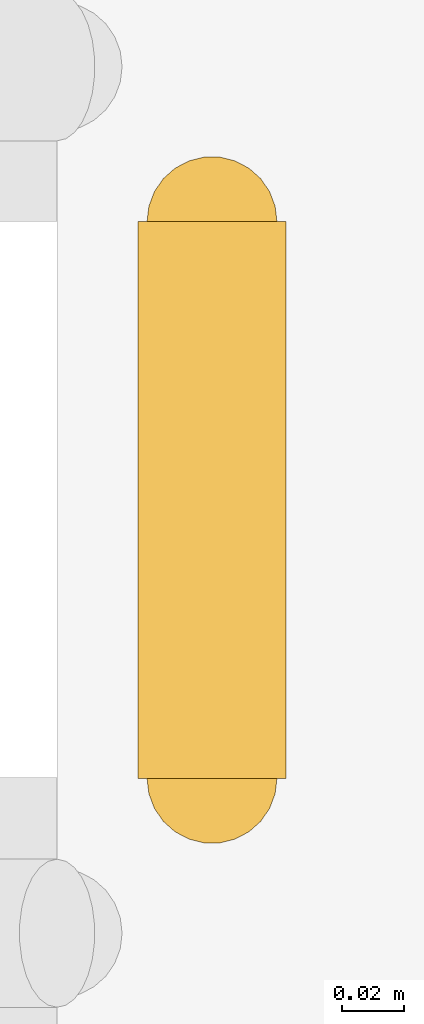
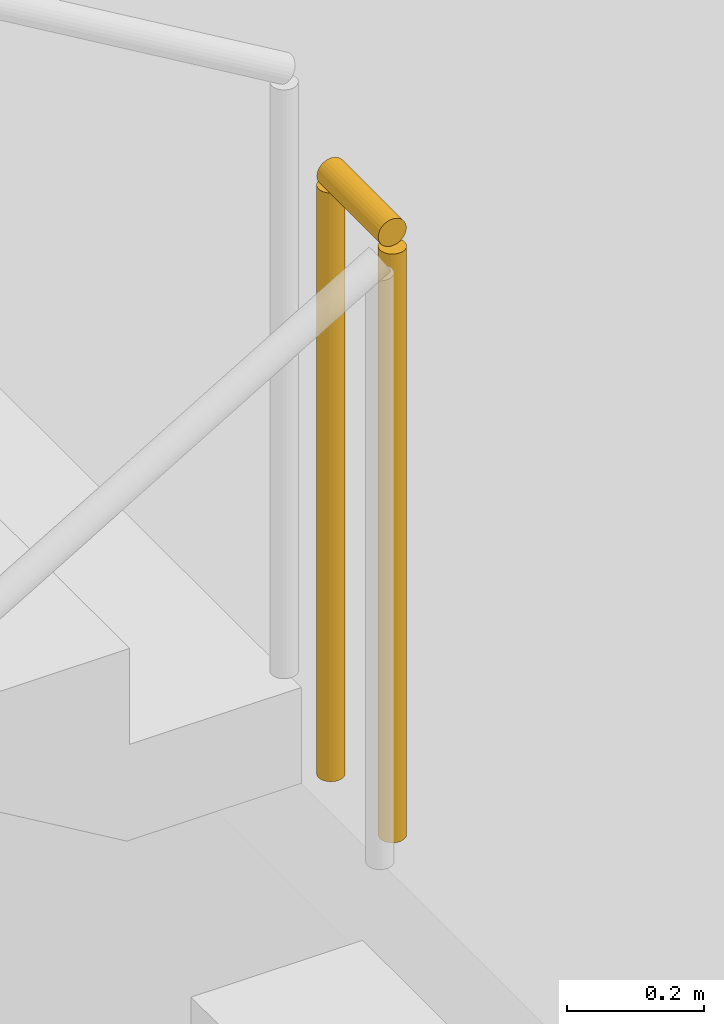
# One storey, part 136 of 143: 1 railing.
"""IFC4 building model written with IfcOpenShell, lengths in metres."""

from ifc_helpers import new_model, si_unit, derived_unit, direction, frame, origin, origin_2d, place, context, subcontext, project, spatial, circle, extrude, material, type_object, element, save


model = new_model("IFC4")

# Units and contexts
model_context = context("Model", 3, precision=1e-05, world=origin(), true_north=direction((0.0, 1.0)))
body_context = subcontext(model_context, "Body", "Model", "MODEL_VIEW")
ifc_project = project(units=[si_unit("LENGTHUNIT", "METRE"), si_unit("AREAUNIT", "SQUARE_METRE"), si_unit("VOLUMEUNIT", "CUBIC_METRE"), si_unit("PLANEANGLEUNIT", "RADIAN"), si_unit("MASSUNIT", "GRAM", prefix="KILO"), derived_unit("THERMALTRANSMITTANCEUNIT", [(si_unit("POWERUNIT", "WATT"), 1), (si_unit("LENGTHUNIT", "METRE"), -2), (si_unit("THERMODYNAMICTEMPERATUREUNIT", "KELVIN"), -1)])], contexts=[model_context])

# Site, building, storey
site_placement = place(None, origin())
site = spatial("IfcSite", under=ifc_project, at=site_placement, CompositionType="ELEMENT")
building_placement = place(site_placement, origin())
building = spatial("IfcBuilding", under=site, at=building_placement, Name="Keldorne Ridge Multi-Sports Centre", CompositionType="ELEMENT")
storey_placement = place(building_placement, frame((0.0, 0.0, 4.800048828125)))
storey = spatial("IfcBuildingStorey", under=building, at=storey_placement, Name="L01", CompositionType="ELEMENT", Elevation=4.800048828125)

# Railing
ifc_material = material(Name="Laminated glass and stainless steel", Category="steel")
railing_type = type_object("IfcRailingType", Name="RLG-BL-01", PredefinedType="BALUSTRADE", material=ifc_material)
railing_placement = place(storey_placement, frame((38.719970703125, 76.949951171875, 2.39990234375)))
element("IfcRailing", 1, at=railing_placement, inside=storey, type_object=railing_type, Name="L01 ST-06 stair guard 2", PredefinedType="BALUSTRADE", context=body_context, shape_type="SweptSolid", body=[
    extrude(circle(Radius=0.02392578125, at=origin_2d()), frame((0.0, 0.0, 1.076171875), z_axis=(0.0, 1.0, 0.0), x_axis=(-1.0, 0.0, 0.0)), (0.0, 0.0, 1.0), 0.179931640625),
    extrude(circle(Radius=0.02099609375, at=origin_2d()), origin(), (0.0, 0.0, 1.0), 1.052001953125),
    extrude(circle(Radius=0.02099609375, at=origin_2d()), frame((0.0, 0.179931640625, 0.0)), (0.0, 0.0, 1.0), 1.052001953125),
])

save(model, "model.ifc")
